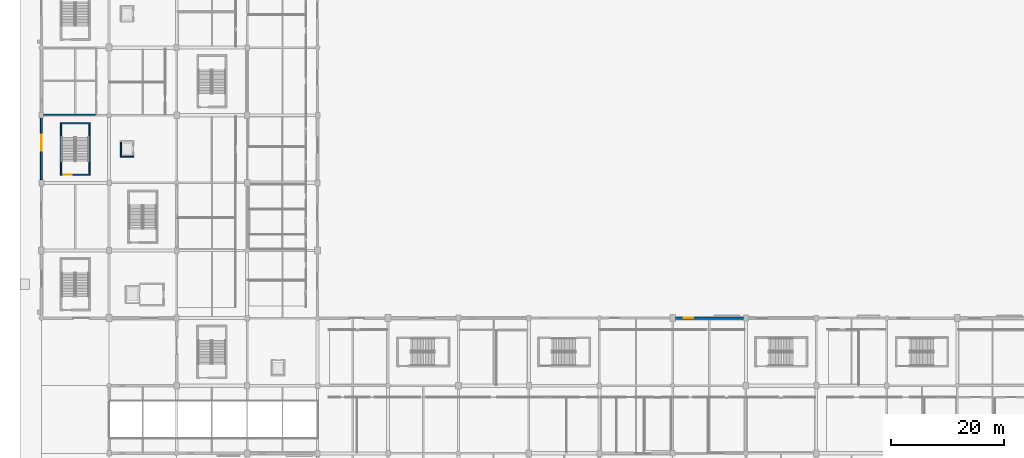
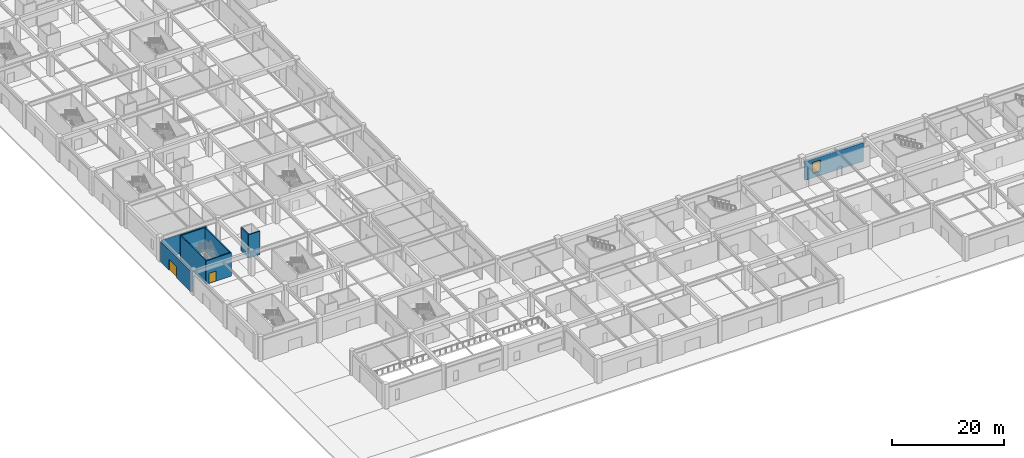
# One storey, part 18 of 69: 9 walls, 2 doors, 1 window, 3 openings.
"""IFC4 building model written with IfcOpenShell, lengths in metres."""

from ifc_helpers import new_model, si_unit, direction, frame, frame_2d, origin, place, context, subcontext, project, spatial, rectangle, extrude, material, layer, layer_set, type_object, element, fill, save


model = new_model("IFC4")

# Units and contexts
model_context = context("Model", 3, precision=1e-05, world=origin(), true_north=direction((0.0, 1.0)))
body_context = subcontext(model_context, "Body", "Model", "MODEL_VIEW")
ifc_project = project(units=[si_unit("LENGTHUNIT", "METRE"), si_unit("AREAUNIT", "SQUARE_METRE"), si_unit("VOLUMEUNIT", "CUBIC_METRE"), si_unit("PLANEANGLEUNIT", "RADIAN"), si_unit("MASSUNIT", "GRAM", prefix="KILO")], contexts=[model_context])

# Site, building, storey
site_placement = place(None, origin())
site = spatial("IfcSite", under=ifc_project, at=site_placement, CompositionType="ELEMENT")
building_placement = place(site_placement, origin())
building = spatial("IfcBuilding", under=site, at=building_placement, Name="Kazenohara Klinker Stadium", CompositionType="ELEMENT")
storey_placement = place(building_placement, origin())
storey = spatial("IfcBuildingStorey", under=building, at=storey_placement, Name="L00", CompositionType="ELEMENT", Elevation=0.0)

# Wall, opening, door
ifc_material_1 = material(Name="Concrete C40/50", Category="concrete")
ifc_layer_1 = layer(ifc_material_1, 0.22998046875)
ifc_layer_set_1 = layer_set([ifc_layer_1], Name="Concrete C40/50")
wall_type_1 = type_object("IfcWallType", Name="WAL-CORE-230", PredefinedType="SHEAR", material=ifc_layer_set_1)
wall_1_placement = place(storey_placement, frame((3.3701171875, 61.43505859375, 0.0), z_axis=(0.0, 0.0, 1.0), x_axis=(1.0, 0.0, 0.0)))
wall_1 = element("IfcWall", 1, at=wall_1_placement, inside=storey, type_object=wall_type_1, Name="Stairwell shear wall ST02 L00 South", PredefinedType="SHEAR", context=body_context, shape_type="SweptSolid", body=[
    extrude(rectangle(XDim=5.259765625, YDim=0.22998046875, at=frame_2d((2.6298828125, 0.0))), origin(), (0.0, 0.0, 1.0), 5.139892578125),
])
opening_1_placement = place(wall_1_placement, frame((0.550048828125, 0.0, 0.0)))
opening_1 = element("IfcOpeningElement", 2, at=opening_1_placement, cuts=wall_1, Name="Opening SD02", PredefinedType="OPENING", context=body_context, shape_type="SweptSolid", body=[
    extrude(rectangle(XDim=1.5, YDim=2.199951171875, at=frame_2d((0.75, 1.10009765625))), frame((0.0, 0.125, 0.0), z_axis=(0.0, -1.0, 0.0), x_axis=(1.0, 0.0, 0.0)), (0.0, 0.0, 1.0), 0.25),
])
ifc_material_2 = material(Name="Flush painted steel fire door leaf", Category="steel")
door_type_1 = type_object("IfcDoorType", Name="DR-STR-1500x2200", OperationType="NOTDEFINED", PredefinedType="DOOR", material=ifc_material_2)
door_1_placement = place(opening_1_placement, origin())
door_1 = element("IfcDoor", 3, at=door_1_placement, inside=storey, type_object=door_type_1, Name="Escape stairwell fire door ST02-L00", OperationType="SINGLE_SWING_LEFT", OverallHeight=2.199951171875, OverallWidth=1.5, PredefinedType="DOOR", context=body_context, shape_type="SweptSolid", body=[
    extrude(rectangle(XDim=1.5, YDim=2.199951171875, at=frame_2d((0.75, 1.10009765625))), frame((0.0, 0.02490234375, 0.0), z_axis=(0.0, -1.0, 0.0), x_axis=(1.0, 0.0, 0.0)), (0.0, 0.0, 1.0), 0.050048828125),
])
fill(opening_1, door_1)

# Walls
wall_2_placement = place(storey_placement, frame((3.3701171875, 70.56494140625, 0.0), z_axis=(0.0, 0.0, 1.0), x_axis=(1.0, 0.0, 0.0)))
element("IfcWall", 4, at=wall_2_placement, inside=storey, type_object=wall_type_1, Name="Stairwell shear wall ST02 L00 North", PredefinedType="SHEAR", context=body_context, shape_type="SweptSolid", body=[
    extrude(rectangle(XDim=5.259765625, YDim=0.22998046875, at=frame_2d((2.6298828125, 0.0))), origin(), (0.0, 0.0, 1.0), 5.139892578125),
])
for number, where, z_axis, x_axis, name in (
    (5, (3.485107421875, 61.550048828125, 0.0), (0.0, 0.0, 1.0), (0.0, 1.0, 0.0), "Stairwell shear wall ST02 L00 West"),
    (6, (8.514892578125, 61.550048828125, 0.0), (0.0, 0.0, 1.0), (0.0, 1.0, 0.0), "Stairwell shear wall ST02 L00 East"),
):
    element("IfcWall", number, at=place(storey_placement, frame(where, z_axis=z_axis, x_axis=x_axis)), inside=storey, type_object=wall_type_1, Name=name, PredefinedType="SHEAR", context=body_context, shape_type="SweptSolid", body=[
        extrude(rectangle(XDim=8.89990234375, YDim=0.22998046875, at=frame_2d((4.449951171875, 0.0))), origin(), (0.0, 0.0, 1.0), 5.139892578125),
    ])
wall_3_placement = place(storey_placement, frame((14.02001953125, 64.68505859375, 0.0), z_axis=(0.0, 0.0, 1.0), x_axis=(1.0, 0.0, 0.0)))
element("IfcWall", 7, at=wall_3_placement, inside=storey, type_object=wall_type_1, Name="Elevator shaft wall LP01 L00 South", PredefinedType="SHEAR", context=body_context, shape_type="SweptSolid", body=[
    extrude(rectangle(XDim=2.35986328125, YDim=0.22998046875, at=frame_2d((1.179931640625, 0.0))), origin(), (0.0, 0.0, 1.0), 5.139892578125),
])
wall_4_placement = place(storey_placement, frame((14.135009765625, 64.800048828125, 0.0), z_axis=(0.0, 0.0, 1.0), x_axis=(0.0, 1.0, 0.0)))
element("IfcWall", 8, at=wall_4_placement, inside=storey, type_object=wall_type_1, Name="Elevator shaft wall LP01 L00 West", PredefinedType="SHEAR", context=body_context, shape_type="SweptSolid", body=[
    extrude(rectangle(XDim=2.39990234375, YDim=0.22998046875, at=frame_2d((1.199951171875, 0.0))), origin(), (0.0, 0.0, 1.0), 5.139892578125),
])

# Wall, opening, door
ifc_material_3 = material(Name="Clinker brick masonry", Category="masonry")
ifc_layer_2 = layer(ifc_material_3, 0.340087890625)
ifc_layer_set_2 = layer_set([ifc_layer_2], Name="Clinker brick masonry")
wall_type_2 = type_object("IfcWallType", Name="WAL-EXT-CB340", PredefinedType="SOLIDWALL", material=ifc_layer_set_2)
wall_5_placement = place(storey_placement, frame((0.0, 60.553955078125, 0.0), z_axis=(0.0, 0.0, 1.0), x_axis=(0.0, 1.0, 0.0)))
wall_5 = element("IfcWall", 9, at=wall_5_placement, inside=storey, type_object=wall_type_2, Name="Clinker brick cavity wall EW04 L00 Y0-5", PredefinedType="SOLIDWALL", context=body_context, shape_type="SweptSolid", body=[
    extrude(rectangle(XDim=10.942138671875, YDim=0.340087890625, at=frame_2d((5.47119140625, 0.0))), origin(), (0.0, 0.0, 1.0), 4.43994140625),
])
opening_2_placement = place(wall_5_placement, frame((5.165283203125, 0.0, 0.0)))
opening_2 = element("IfcOpeningElement", 10, at=opening_2_placement, cuts=wall_5, Name="Opening G04", PredefinedType="OPENING", context=body_context, shape_type="SweptSolid", body=[
    extrude(rectangle(XDim=2.800048828125, YDim=2.39990234375, at=frame_2d((1.39990234375, 1.199951171875))), frame((0.0, 0.18017578125, 0.0), z_axis=(0.0, -1.0, 0.0), x_axis=(1.0, 0.0, 0.0)), (0.0, 0.0, 1.0), 0.360107421875),
])
ifc_material_4 = material(Name="Powder-coated aluminium and laminated safety glass", Category="aluminium")
door_type_2 = type_object("IfcDoorType", Name="DR-GATE-2800x2400", OperationType="NOTDEFINED", PredefinedType="DOOR", material=ifc_material_4)
door_2_placement = place(opening_2_placement, origin())
door_2 = element("IfcDoor", 11, at=door_2_placement, inside=storey, type_object=door_type_2, Name="Pedestrian exit gate G04", OperationType="DOUBLE_DOOR_SINGLE_SWING", OverallHeight=2.39990234375, OverallWidth=2.800048828125, PredefinedType="DOOR", context=body_context, shape_type="SweptSolid", body=[
    extrude(rectangle(XDim=2.800048828125, YDim=2.39990234375, at=frame_2d((1.39990234375, 1.199951171875))), frame((0.0, 0.02490234375, 0.0), z_axis=(0.0, -1.0, 0.0), x_axis=(1.0, 0.0, 0.0)), (0.0, 0.0, 1.0), 0.050048828125),
])
fill(opening_2, door_2)

# Wall, opening, window
ifc_layer_3 = layer(ifc_material_3, 0.449951171875)
ifc_layer_set_3 = layer_set([ifc_layer_3], Name="Clinker brick masonry")
wall_type_3 = type_object("IfcWallType", Name="WAL-EXT-CB450", PredefinedType="SOLIDWALL", material=ifc_layer_set_3)
wall_6_placement = place(storey_placement, frame((112.50390625, 36.0, 0.0), z_axis=(0.0, 0.0, 1.0), x_axis=(1.0, 0.0, 0.0)))
wall_6 = element("IfcWall", 12, at=wall_6_placement, inside=storey, type_object=wall_type_3, Name="Clinker brick cavity wall EW01 L00 X9-3", PredefinedType="SOLIDWALL", context=body_context, shape_type="SweptSolid", body=[
    extrude(rectangle(XDim=12.0419921875, YDim=0.449951171875, at=frame_2d((6.02099609375, 0.0))), origin(), (0.0, 0.0, 1.0), 4.090087890625),
])
opening_3_placement = place(wall_6_placement, frame((1.5, 0.0, 0.949951171875)))
opening_3 = element("IfcOpeningElement", 13, at=opening_3_placement, cuts=wall_6, Name="Opening W12", PredefinedType="OPENING", context=body_context, shape_type="SweptSolid", body=[
    extrude(rectangle(XDim=1.64990234375, YDim=2.449951171875, at=frame_2d((0.824951171875, 1.22509765625))), frame((0.0, 0.23486328125, 0.0), z_axis=(0.0, -1.0, 0.0), x_axis=(1.0, 0.0, 0.0)), (0.0, 0.0, 1.0), 0.469970703125),
])
ifc_material_5 = material(Name="Dark bronze aluminium frame and triple glazing", Category="aluminium")
window_type = type_object("IfcWindowType", Name="WIN-AS-12", PartitioningType="SINGLE_PANEL", PredefinedType="WINDOW", material=ifc_material_5)
window_placement = place(opening_3_placement, origin())
window = element("IfcWindow", 14, at=window_placement, inside=storey, type_object=window_type, Name="Horizontal-mullion ladder window W12 L00 X9-3", OverallHeight=2.449951171875, OverallWidth=1.64990234375, PartitioningType="SINGLE_PANEL", PredefinedType="WINDOW", context=body_context, shape_type="SweptSolid", body=[
    extrude(rectangle(XDim=1.64990234375, YDim=2.449951171875, at=frame_2d((0.824951171875, 1.22509765625))), frame((0.0, 0.030029296875, 0.0), z_axis=(0.0, -1.0, 0.0), x_axis=(1.0, 0.0, 0.0)), (0.0, 0.0, 1.0), 0.06005859375),
])
fill(opening_3, window)

# Wall
ifc_layer_4 = layer(ifc_material_1, 0.199951171875)
ifc_layer_set_4 = layer_set([ifc_layer_4], Name="Concrete C40/50")
wall_type_4 = type_object("IfcWallType", Name="WAL-INT-RC200", PredefinedType="SOLIDWALL", material=ifc_layer_set_4)
wall_7_placement = place(storey_placement, frame((0.404052734375, 72.080078125, 0.0), z_axis=(0.0, 0.0, 1.0), x_axis=(1.0, 0.0, 0.0)))
element("IfcWall", 15, at=wall_7_placement, inside=storey, type_object=wall_type_4, Name="Interior partition wall IW-R1 SPC-L00-BOSAI-SENTA-3", PredefinedType="SOLIDWALL", context=body_context, shape_type="SweptSolid", body=[
    extrude(rectangle(XDim=9.19091796875, YDim=0.199951171875, at=frame_2d((4.595458984375, 0.0))), origin(), (0.0, 0.0, 1.0), 4.199951171875),
])

save(model, "model.ifc")
